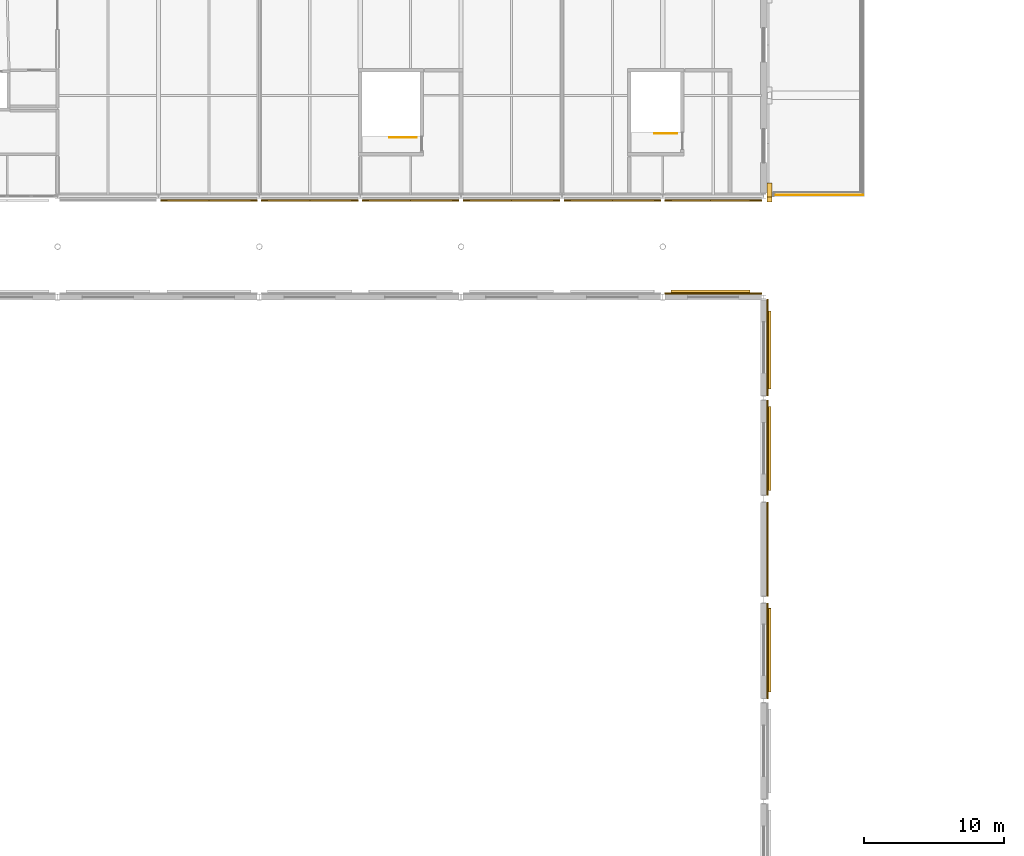
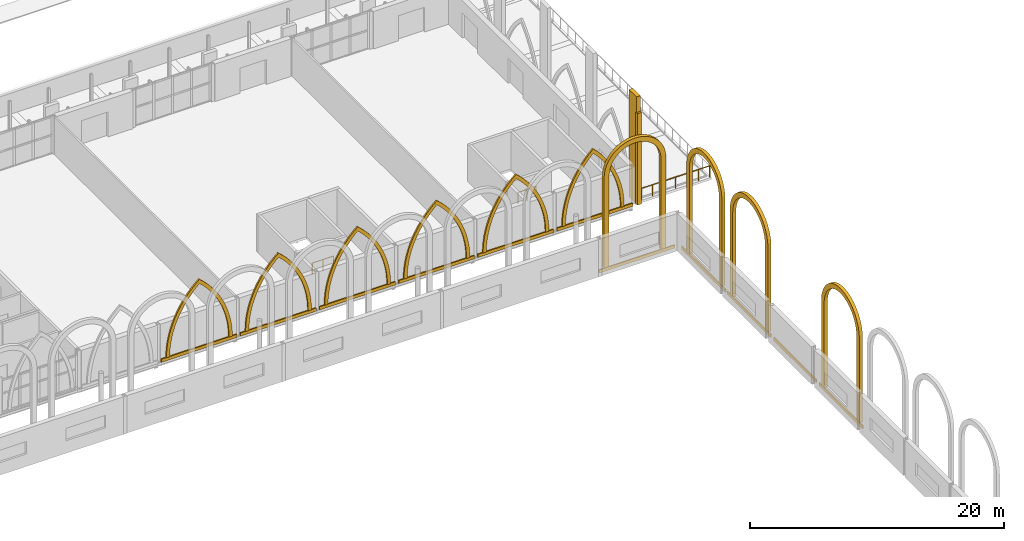
# One storey, part 129 of 143: 23 coverings, 3 railings.
"""IFC4 building model written with IfcOpenShell, lengths in metres."""

from ifc_helpers import new_model, si_unit, direction, frame, origin, origin_2d, place, context, subcontext, project, spatial, polyline, rectangle, circle, outline, extrude, material, layer, layer_set, type_object, element, save


model = new_model("IFC4")

# Units and contexts
model_context = context("Model", 3, precision=1e-05, world=origin(), true_north=direction((0.0, 1.0)))
body_context = subcontext(model_context, "Body", "Model", "MODEL_VIEW")
ifc_project = project(units=[si_unit("LENGTHUNIT", "METRE"), si_unit("AREAUNIT", "SQUARE_METRE"), si_unit("VOLUMEUNIT", "CUBIC_METRE"), si_unit("PLANEANGLEUNIT", "RADIAN"), si_unit("MASSUNIT", "GRAM", prefix="KILO")], contexts=[model_context])

# Site, building, storey
site_placement = place(None, origin())
site = spatial("IfcSite", under=ifc_project, at=site_placement, CompositionType="ELEMENT")
building_placement = place(site_placement, origin())
building = spatial("IfcBuilding", under=site, at=building_placement, Name="Kupolbacken Congress Centre", CompositionType="ELEMENT")
storey_placement = place(building_placement, frame((0.0, 0.0, 7.199951171875)))
storey = spatial("IfcBuildingStorey", under=building, at=storey_placement, Name="L02", CompositionType="ELEMENT", Elevation=7.199951171875)

# Coverings
ifc_material_1 = material(Name="Limestone cladding", Category="masonry")
ifc_layer_1 = layer(ifc_material_1, 0.1201171875)
ifc_layer_set_1 = layer_set([ifc_layer_1], Name="Limestone cladding")
covering_type_1 = type_object("IfcCoveringType", Name="CV1 limestone cladding band 120", PredefinedType="CLADDING", material=ifc_layer_set_1)
for number, where, z_axis, x_axis, name in (
    (1, (162.0, 122.10009765625, 0.0), (0.0, 0.0, 1.0), (1.0, 0.0, 0.0), "E/B/S/L02/213/band"),
    (2, (169.199951171875, 122.10009765625, 0.0), (0.0, 0.0, 1.0), (1.0, 0.0, 0.0), "E/B/S/L02/214/band"),
    (3, (176.39990234375, 122.10009765625, 0.0), (0.0, 0.0, 1.0), (1.0, 0.0, 0.0), "E/B/S/L02/215/band"),
    (4, (183.60009765625, 122.10009765625, 0.0), (0.0, 0.0, 1.0), (1.0, 0.0, 0.0), "E/B/S/L02/216/band"),
    (5, (190.800048828125, 122.10009765625, 0.0), (0.0, 0.0, 1.0), (1.0, 0.0, 0.0), "E/B/S/L02/217/band"),
    (6, (198.0, 122.10009765625, 0.0), (0.0, 0.0, 1.0), (1.0, 0.0, 0.0), "E/B/S/L02/218/band"),
):
    element("IfcCovering", number, at=place(storey_placement, frame(where, z_axis=z_axis, x_axis=x_axis)), inside=storey, type_object=covering_type_1, Name=name, PredefinedType="CLADDING", context=body_context, shape_type="SweptSolid", body=[
        extrude(rectangle(XDim=6.89990234375, YDim=0.1201171875, at=origin_2d()), origin(), (0.0, 0.0, 1.0), 0.300048828125),
    ])
ifc_material_2 = material(Name="Brick cladding", Category="masonry")
ifc_layer_2 = layer(ifc_material_2, 0.10791015625)
ifc_layer_set_2 = layer_set([ifc_layer_2], Name="Brick cladding")
covering_type_2 = type_object("IfcCoveringType", Name="CV2 brick cladding band 108", PredefinedType="CLADDING", material=ifc_layer_set_2)
covering_1_placement = place(storey_placement, frame((201.864013671875, 89.949951171875, 0.0), z_axis=(0.0, 0.0, 1.0), x_axis=(0.0, 1.0, 0.0)))
element("IfcCovering", 7, at=covering_1_placement, inside=storey, type_object=covering_type_2, Name="E/H/E/L02/252/band", PredefinedType="CLADDING", context=body_context, shape_type="SweptSolid", body=[
    extrude(rectangle(XDim=6.81005859375, YDim=0.10791015625, at=origin_2d()), origin(), (0.0, 0.0, 1.0), 0.300048828125),
])
covering_2_placement = place(storey_placement, frame((201.864013671875, 97.199951171875, 0.0), z_axis=(0.0, 0.0, 1.0), x_axis=(0.0, 1.0, 0.0)))
element("IfcCovering", 8, at=covering_2_placement, inside=storey, type_object=covering_type_2, Name="E/H/E/L02/253/band", PredefinedType="CLADDING", context=body_context, shape_type="SweptSolid", body=[
    extrude(rectangle(XDim=6.7099609375, YDim=0.10791015625, at=origin_2d()), origin(), (0.0, 0.0, 1.0), 0.300048828125),
])
covering_3_placement = place(storey_placement, frame((201.864013671875, 104.449951171875, 0.0), z_axis=(0.0, 0.0, 1.0), x_axis=(0.0, 1.0, 0.0)))
element("IfcCovering", 9, at=covering_3_placement, inside=storey, type_object=covering_type_2, Name="E/H/E/L02/254/band", PredefinedType="CLADDING", context=body_context, shape_type="SweptSolid", body=[
    extrude(rectangle(XDim=6.81005859375, YDim=0.10791015625, at=origin_2d()), origin(), (0.0, 0.0, 1.0), 0.300048828125),
])
covering_4_placement = place(storey_placement, frame((201.864013671875, 111.60009765625, 0.0), z_axis=(0.0, 0.0, 1.0), x_axis=(0.0, 1.0, 0.0)))
element("IfcCovering", 10, at=covering_4_placement, inside=storey, type_object=covering_type_2, Name="E/H/E/L02/255/band", PredefinedType="CLADDING", context=body_context, shape_type="SweptSolid", body=[
    extrude(rectangle(XDim=6.909912109375, YDim=0.10791015625, at=origin_2d()), origin(), (0.0, 0.0, 1.0), 0.300048828125),
])
covering_5_placement = place(storey_placement, frame((198.0, 115.464111328125, 0.0), z_axis=(0.0, 0.0, 1.0), x_axis=(-1.0, 0.0, 0.0)))
element("IfcCovering", 11, at=covering_5_placement, inside=storey, type_object=covering_type_2, Name="E/H/N/L02/256/band", PredefinedType="CLADDING", context=body_context, shape_type="SweptSolid", body=[
    extrude(rectangle(XDim=6.89990234375, YDim=0.10791015625, at=origin_2d()), origin(), (0.0, 0.0, 1.0), 0.300048828125),
])
ifc_material_3 = material(Name="Limestone cladding", Category="masonry")
ifc_layer_3 = layer(ifc_material_3, 0.35009765625)
ifc_layer_set_3 = layer_set([ifc_layer_3], Name="Limestone cladding")
covering_type_3 = type_object("IfcCoveringType", Name="CV3 limestone pilaster strip 350", PredefinedType="CLADDING", material=ifc_layer_set_3)
covering_6_placement = place(storey_placement, frame((202.014892578125, 122.760009765625, 0.0), z_axis=(0.0, 0.0, 1.0), x_axis=(0.0, 1.0, 0.0)))
element("IfcCovering", 12, at=covering_6_placement, inside=storey, type_object=covering_type_3, Name="F/B/E/pil/00/0", PredefinedType="CLADDING", context=body_context, shape_type="SweptSolid", body=[
    extrude(rectangle(XDim=1.199951171875, YDim=0.35009765625, at=origin_2d()), origin(), (0.0, 0.0, 1.0), 10.300048828125),
])
covering_7_placement = place(storey_placement, frame((202.014892578125, 122.159912109375, 0.0), z_axis=(0.0, 0.0, 1.0), x_axis=(1.0, 0.0, 0.0)))
element("IfcCovering", 13, at=covering_7_placement, inside=storey, type_object=covering_type_3, Name="F/B/corner/S/0", PredefinedType="CLADDING", context=body_context, shape_type="SweptSolid", body=[
    extrude(rectangle(XDim=0.35009765625, YDim=0.35009765625, at=origin_2d()), origin(), (0.0, 0.0, 1.0), 8.800048828125),
])
ifc_material_4 = material(Name="Limestone cladding", Category="masonry")
ifc_layer_4 = layer(ifc_material_4, 0.14990234375)
ifc_layer_set_4 = layer_set([ifc_layer_4], Name="Limestone cladding")
covering_type_4 = type_object("IfcCoveringType", Name="CV4 limestone blind arch frame 150", PredefinedType="CLADDING", material=ifc_layer_set_4)
covering_8_placement = place(storey_placement, frame((159.0, 122.159912109375, 0.300048828125), z_axis=(0.0, -1.0, 0.0), x_axis=(1.0, 0.0, 0.0)))
element("IfcCovering", 14, at=covering_8_placement, inside=storey, type_object=covering_type_4, Name="F/B/S/arch/03/7.5", PredefinedType="CLADDING", context=body_context, shape_type="SweptSolid", body=[
    extrude(outline(polyline([(0.0, 0.0), (0.016357421875, 0.52734375), (0.065185546875, 1.052490234375), (0.146240234375, 1.573974609375), (0.259521484375, 2.089111328125), (0.404296875, 2.596435546875), (0.580078125, 3.093994140625), (0.7861328125, 3.57958984375), (1.02197265625, 4.051513671875), (1.286376953125, 4.5078125), (1.57861328125, 4.947265625), (1.897216796875, 5.36767578125), (2.2412109375, 5.767578125), (2.609375, 6.1455078125), (3.0, 6.5), (3.390625, 6.1455078125), (3.7587890625, 5.767578125), (4.102783203125, 5.36767578125), (4.42138671875, 4.947265625), (4.713623046875, 4.5078125), (4.97802734375, 4.051513671875), (5.2138671875, 3.57958984375), (5.419921875, 3.093994140625), (5.595703125, 2.596435546875), (5.740478515625, 2.089111328125), (5.853759765625, 1.573974609375), (5.934814453125, 1.052490234375), (5.983642578125, 0.52734375), (6.0, 0.0), (5.699951171875, 0.0), (5.685302734375, 0.490234375), (5.6416015625, 0.97900390625), (5.56884765625, 1.464111328125), (5.467529296875, 1.94384765625), (5.337646484375, 2.4169921875), (5.179931640625, 2.88134765625), (4.994873046875, 3.335693359375), (4.782958984375, 3.778076171875), (4.54541015625, 4.20703125), (4.282470703125, 4.621337890625), (3.99560546875, 5.01904296875), (3.685302734375, 5.39892578125), (3.35302734375, 5.760009765625), (3.0, 6.100341796875), (2.64697265625, 5.760009765625), (2.314697265625, 5.39892578125), (2.00439453125, 5.01904296875), (1.717529296875, 4.621337890625), (1.45458984375, 4.20703125), (1.217041015625, 3.778076171875), (1.005126953125, 3.335693359375), (0.820068359375, 2.88134765625), (0.662353515625, 2.4169921875), (0.532470703125, 1.94384765625), (0.43115234375, 1.464111328125), (0.3583984375, 0.97900390625), (0.314697265625, 0.490234375), (0.300048828125, 0.0), (0.0, 0.0)])), origin(), (0.0, 0.0, 1.0), 0.14990234375),
])
covering_9_placement = place(storey_placement, frame((166.199951171875, 122.159912109375, 0.300048828125), z_axis=(0.0, -1.0, 0.0), x_axis=(1.0, 0.0, 0.0)))
element("IfcCovering", 15, at=covering_9_placement, inside=storey, type_object=covering_type_4, Name="F/B/S/arch/04/7.5", PredefinedType="CLADDING", context=body_context, shape_type="SweptSolid", body=[
    extrude(outline(polyline([(0.0, 0.0), (0.016357421875, 0.52734375), (0.065185546875, 1.052490234375), (0.146240234375, 1.573974609375), (0.259521484375, 2.089111328125), (0.404296875, 2.596435546875), (0.580078125, 3.093994140625), (0.7861328125, 3.57958984375), (1.02197265625, 4.051513671875), (1.286376953125, 4.5078125), (1.57861328125, 4.947265625), (1.897216796875, 5.36767578125), (2.2412109375, 5.767578125), (2.609375, 6.1455078125), (3.0, 6.5), (3.390625, 6.1455078125), (3.7587890625, 5.767578125), (4.102783203125, 5.36767578125), (4.42138671875, 4.947265625), (4.713623046875, 4.5078125), (4.97802734375, 4.051513671875), (5.2138671875, 3.57958984375), (5.419921875, 3.093994140625), (5.595703125, 2.596435546875), (5.740478515625, 2.089111328125), (5.853759765625, 1.573974609375), (5.934814453125, 1.052490234375), (5.983642578125, 0.52734375), (6.0, 0.0), (5.699951171875, 0.0), (5.685302734375, 0.490234375), (5.6416015625, 0.97900390625), (5.56884765625, 1.464111328125), (5.467529296875, 1.94384765625), (5.337646484375, 2.4169921875), (5.179931640625, 2.88134765625), (4.994873046875, 3.335693359375), (4.782958984375, 3.778076171875), (4.54541015625, 4.20703125), (4.282470703125, 4.621337890625), (3.99560546875, 5.01904296875), (3.685302734375, 5.39892578125), (3.35302734375, 5.760009765625), (3.0, 6.100341796875), (2.64697265625, 5.760009765625), (2.314697265625, 5.39892578125), (2.00439453125, 5.01904296875), (1.717529296875, 4.621337890625), (1.45458984375, 4.20703125), (1.217041015625, 3.778076171875), (1.005126953125, 3.335693359375), (0.820068359375, 2.88134765625), (0.662353515625, 2.4169921875), (0.532470703125, 1.94384765625), (0.43115234375, 1.464111328125), (0.3583984375, 0.97900390625), (0.314697265625, 0.490234375), (0.300048828125, 0.0), (0.0, 0.0)])), origin(), (0.0, 0.0, 1.0), 0.14990234375),
])
covering_10_placement = place(storey_placement, frame((173.39990234375, 122.159912109375, 0.300048828125), z_axis=(0.0, -1.0, 0.0), x_axis=(1.0, 0.0, 0.0)))
element("IfcCovering", 16, at=covering_10_placement, inside=storey, type_object=covering_type_4, Name="F/B/S/arch/05/7.5", PredefinedType="CLADDING", context=body_context, shape_type="SweptSolid", body=[
    extrude(outline(polyline([(0.0, 0.0), (0.016357421875, 0.52734375), (0.065185546875, 1.052490234375), (0.146240234375, 1.573974609375), (0.259521484375, 2.089111328125), (0.404296875, 2.596435546875), (0.580078125, 3.093994140625), (0.7861328125, 3.57958984375), (1.02197265625, 4.051513671875), (1.286376953125, 4.5078125), (1.57861328125, 4.947265625), (1.897216796875, 5.36767578125), (2.2412109375, 5.767578125), (2.609375, 6.1455078125), (3.0, 6.5), (3.390625, 6.1455078125), (3.7587890625, 5.767578125), (4.102783203125, 5.36767578125), (4.42138671875, 4.947265625), (4.713623046875, 4.5078125), (4.97802734375, 4.051513671875), (5.2138671875, 3.57958984375), (5.419921875, 3.093994140625), (5.595703125, 2.596435546875), (5.740478515625, 2.089111328125), (5.853759765625, 1.573974609375), (5.934814453125, 1.052490234375), (5.983642578125, 0.52734375), (6.0, 0.0), (5.699951171875, 0.0), (5.685302734375, 0.490234375), (5.6416015625, 0.97900390625), (5.56884765625, 1.464111328125), (5.467529296875, 1.94384765625), (5.337646484375, 2.4169921875), (5.179931640625, 2.88134765625), (4.994873046875, 3.335693359375), (4.782958984375, 3.778076171875), (4.54541015625, 4.20703125), (4.282470703125, 4.621337890625), (3.99560546875, 5.01904296875), (3.685302734375, 5.39892578125), (3.35302734375, 5.760009765625), (3.0, 6.100341796875), (2.64697265625, 5.760009765625), (2.314697265625, 5.39892578125), (2.00439453125, 5.01904296875), (1.717529296875, 4.621337890625), (1.45458984375, 4.20703125), (1.217041015625, 3.778076171875), (1.005126953125, 3.335693359375), (0.820068359375, 2.88134765625), (0.662353515625, 2.4169921875), (0.532470703125, 1.94384765625), (0.43115234375, 1.464111328125), (0.3583984375, 0.97900390625), (0.314697265625, 0.490234375), (0.300048828125, 0.0), (0.0, 0.0)])), origin(), (0.0, 0.0, 1.0), 0.14990234375),
])
covering_11_placement = place(storey_placement, frame((180.60009765625, 122.159912109375, 0.300048828125), z_axis=(0.0, -1.0, 0.0), x_axis=(1.0, 0.0, 0.0)))
element("IfcCovering", 17, at=covering_11_placement, inside=storey, type_object=covering_type_4, Name="F/B/S/arch/06/7.5", PredefinedType="CLADDING", context=body_context, shape_type="SweptSolid", body=[
    extrude(outline(polyline([(0.0, 0.0), (0.016357421875, 0.52734375), (0.065185546875, 1.052490234375), (0.146240234375, 1.573974609375), (0.259521484375, 2.089111328125), (0.404296875, 2.596435546875), (0.580078125, 3.093994140625), (0.7861328125, 3.57958984375), (1.02197265625, 4.051513671875), (1.286376953125, 4.5078125), (1.57861328125, 4.947265625), (1.897216796875, 5.36767578125), (2.2412109375, 5.767578125), (2.609375, 6.1455078125), (3.0, 6.5), (3.390625, 6.1455078125), (3.7587890625, 5.767578125), (4.102783203125, 5.36767578125), (4.42138671875, 4.947265625), (4.713623046875, 4.5078125), (4.97802734375, 4.051513671875), (5.2138671875, 3.57958984375), (5.419921875, 3.093994140625), (5.595703125, 2.596435546875), (5.740478515625, 2.089111328125), (5.853759765625, 1.573974609375), (5.934814453125, 1.052490234375), (5.983642578125, 0.52734375), (6.0, 0.0), (5.699951171875, 0.0), (5.685302734375, 0.490234375), (5.6416015625, 0.97900390625), (5.56884765625, 1.464111328125), (5.467529296875, 1.94384765625), (5.337646484375, 2.4169921875), (5.179931640625, 2.88134765625), (4.994873046875, 3.335693359375), (4.782958984375, 3.778076171875), (4.54541015625, 4.20703125), (4.282470703125, 4.621337890625), (3.99560546875, 5.01904296875), (3.685302734375, 5.39892578125), (3.35302734375, 5.760009765625), (3.0, 6.100341796875), (2.64697265625, 5.760009765625), (2.314697265625, 5.39892578125), (2.00439453125, 5.01904296875), (1.717529296875, 4.621337890625), (1.45458984375, 4.20703125), (1.217041015625, 3.778076171875), (1.005126953125, 3.335693359375), (0.820068359375, 2.88134765625), (0.662353515625, 2.4169921875), (0.532470703125, 1.94384765625), (0.43115234375, 1.464111328125), (0.3583984375, 0.97900390625), (0.314697265625, 0.490234375), (0.300048828125, 0.0), (0.0, 0.0)])), origin(), (0.0, 0.0, 1.0), 0.14990234375),
])
covering_12_placement = place(storey_placement, frame((187.800048828125, 122.159912109375, 0.300048828125), z_axis=(0.0, -1.0, 0.0), x_axis=(1.0, 0.0, 0.0)))
element("IfcCovering", 18, at=covering_12_placement, inside=storey, type_object=covering_type_4, Name="F/B/S/arch/07/7.5", PredefinedType="CLADDING", context=body_context, shape_type="SweptSolid", body=[
    extrude(outline(polyline([(0.0, 0.0), (0.016357421875, 0.52734375), (0.065185546875, 1.052490234375), (0.146240234375, 1.573974609375), (0.259521484375, 2.089111328125), (0.404296875, 2.596435546875), (0.580078125, 3.093994140625), (0.7861328125, 3.57958984375), (1.02197265625, 4.051513671875), (1.286376953125, 4.5078125), (1.57861328125, 4.947265625), (1.897216796875, 5.36767578125), (2.2412109375, 5.767578125), (2.609375, 6.1455078125), (3.0, 6.5), (3.390625, 6.1455078125), (3.7587890625, 5.767578125), (4.102783203125, 5.36767578125), (4.42138671875, 4.947265625), (4.713623046875, 4.5078125), (4.97802734375, 4.051513671875), (5.2138671875, 3.57958984375), (5.419921875, 3.093994140625), (5.595703125, 2.596435546875), (5.740478515625, 2.089111328125), (5.853759765625, 1.573974609375), (5.934814453125, 1.052490234375), (5.983642578125, 0.52734375), (6.0, 0.0), (5.699951171875, 0.0), (5.685302734375, 0.490234375), (5.6416015625, 0.97900390625), (5.56884765625, 1.464111328125), (5.467529296875, 1.94384765625), (5.337646484375, 2.4169921875), (5.179931640625, 2.88134765625), (4.994873046875, 3.335693359375), (4.782958984375, 3.778076171875), (4.54541015625, 4.20703125), (4.282470703125, 4.621337890625), (3.99560546875, 5.01904296875), (3.685302734375, 5.39892578125), (3.35302734375, 5.760009765625), (3.0, 6.100341796875), (2.64697265625, 5.760009765625), (2.314697265625, 5.39892578125), (2.00439453125, 5.01904296875), (1.717529296875, 4.621337890625), (1.45458984375, 4.20703125), (1.217041015625, 3.778076171875), (1.005126953125, 3.335693359375), (0.820068359375, 2.88134765625), (0.662353515625, 2.4169921875), (0.532470703125, 1.94384765625), (0.43115234375, 1.464111328125), (0.3583984375, 0.97900390625), (0.314697265625, 0.490234375), (0.300048828125, 0.0), (0.0, 0.0)])), origin(), (0.0, 0.0, 1.0), 0.14990234375),
])
covering_13_placement = place(storey_placement, frame((195.0, 122.159912109375, 0.300048828125), z_axis=(0.0, -1.0, 0.0), x_axis=(1.0, 0.0, 0.0)))
element("IfcCovering", 19, at=covering_13_placement, inside=storey, type_object=covering_type_4, Name="F/B/S/arch/08/7.5", PredefinedType="CLADDING", context=body_context, shape_type="SweptSolid", body=[
    extrude(outline(polyline([(0.0, 0.0), (0.01513671875, 0.520263671875), (0.060791015625, 1.038818359375), (0.13671875, 1.553466796875), (0.242431640625, 2.06298828125), (0.377685546875, 2.565673828125), (0.542236328125, 3.059326171875), (0.7353515625, 3.542724609375), (0.956298828125, 4.013916015625), (1.20458984375, 4.47119140625), (1.47900390625, 4.91357421875), (1.77880859375, 5.3388671875), (2.10302734375, 5.74609375), (2.450439453125, 6.133544921875), (2.820068359375, 6.5), (3.189453125, 6.133544921875), (3.536865234375, 5.74609375), (3.861083984375, 5.3388671875), (4.160888671875, 4.91357421875), (4.435546875, 4.47119140625), (4.68359375, 4.013916015625), (4.904541015625, 3.542724609375), (5.09765625, 3.059326171875), (5.26220703125, 2.565673828125), (5.397705078125, 2.06298828125), (5.50341796875, 1.553466796875), (5.5791015625, 1.038818359375), (5.624755859375, 0.520263671875), (5.639892578125, 0.0), (5.340087890625, 0.0), (5.326416015625, 0.482421875), (5.285888671875, 0.963134765625), (5.218505859375, 1.44091796875), (5.124267578125, 1.914306640625), (5.003662109375, 2.381591796875), (4.857177734375, 2.84130859375), (4.68505859375, 3.2919921875), (4.48779296875, 3.732421875), (4.266357421875, 4.1611328125), (4.021240234375, 4.576904296875), (3.753173828125, 4.977783203125), (3.462890625, 5.363525390625), (3.151611328125, 5.732177734375), (2.820068359375, 6.082763671875), (2.488525390625, 5.732177734375), (2.177001953125, 5.363525390625), (1.886962890625, 4.977783203125), (1.618896484375, 4.576904296875), (1.37353515625, 4.1611328125), (1.152099609375, 3.732421875), (0.954833984375, 3.2919921875), (0.78271484375, 2.84130859375), (0.63623046875, 2.381591796875), (0.515625, 1.914306640625), (0.421630859375, 1.44091796875), (0.35400390625, 0.963134765625), (0.3134765625, 0.482421875), (0.300048828125, 0.0), (0.0, 0.0)])), origin(), (0.0, 0.0, 1.0), 0.14990234375),
])
ifc_material_5 = material(Name="Limestone cladding", Category="masonry")
ifc_layer_5 = layer(ifc_material_5, 0.300048828125)
ifc_layer_set_5 = layer_set([ifc_layer_5], Name="Limestone cladding")
covering_type_5 = type_object("IfcCoveringType", Name="CV6 limestone arcade arch frame 300", PredefinedType="CLADDING", material=ifc_layer_set_5)
covering_14_placement = place(storey_placement, frame((195.0, 115.409912109375, 0.300048828125), z_axis=(0.0, 1.0, 0.0), x_axis=(-1.0, 0.0, 0.0)))
element("IfcCovering", 20, at=covering_14_placement, inside=storey, type_object=covering_type_5, Name="F/HR/H/N/frame/15", PredefinedType="CLADDING", context=body_context, shape_type="SweptSolid", body=[
    extrude(outline(polyline([(0.0, 0.0), (0.0, 8.739990234375), (-0.017578125, 9.0546875), (-0.070556640625, 9.365234375), (-0.15771484375, 9.668212890625), (-0.2783203125, 9.959228515625), (-0.4306640625, 10.235107421875), (-0.613037109375, 10.491943359375), (-0.822998046875, 10.72705078125), (-1.05810546875, 10.93701171875), (-1.31494140625, 11.119384765625), (-1.5908203125, 11.271728515625), (-1.8818359375, 11.392333984375), (-2.184814453125, 11.4794921875), (-2.495361328125, 11.5322265625), (-2.81005859375, 11.550048828125), (-3.12451171875, 11.5322265625), (-3.435302734375, 11.4794921875), (-3.738037109375, 11.392333984375), (-4.029296875, 11.271728515625), (-4.304931640625, 11.119384765625), (-4.56201171875, 10.93701171875), (-4.797119140625, 10.72705078125), (-5.0068359375, 10.491943359375), (-5.189208984375, 10.235107421875), (-5.341796875, 9.959228515625), (-5.46240234375, 9.668212890625), (-5.549560546875, 9.365234375), (-5.602294921875, 9.0546875), (-5.6201171875, 8.739990234375), (-5.6201171875, 0.0), (-5.169921875, 0.0), (-5.169921875, 8.739990234375), (-5.1552734375, 9.004150390625), (-5.11083984375, 9.26513671875), (-5.03759765625, 9.51953125), (-4.936279296875, 9.763916015625), (-4.808349609375, 9.99560546875), (-4.655029296875, 10.21142578125), (-4.478759765625, 10.40869140625), (-4.281494140625, 10.585205078125), (-4.065673828125, 10.73828125), (-3.833984375, 10.8662109375), (-3.589599609375, 10.967529296875), (-3.335205078125, 11.040771484375), (-3.07421875, 11.085205078125), (-2.81005859375, 11.10009765625), (-2.5458984375, 11.085205078125), (-2.284912109375, 11.040771484375), (-2.030517578125, 10.967529296875), (-1.785888671875, 10.8662109375), (-1.554443359375, 10.73828125), (-1.338623046875, 10.585205078125), (-1.14111328125, 10.40869140625), (-0.96484375, 10.21142578125), (-0.811767578125, 9.99560546875), (-0.68359375, 9.763916015625), (-0.58251953125, 9.51953125), (-0.50927734375, 9.26513671875), (-0.46484375, 9.004150390625), (-0.449951171875, 8.739990234375), (-0.449951171875, 0.0), (0.0, 0.0)])), origin(), (0.0, 0.0, 1.0), 0.300048828125),
])
covering_15_placement = place(storey_placement, frame((201.81005859375, 87.0, 0.300048828125), z_axis=(1.0, 0.0, 0.0), x_axis=(0.0, 1.0, 0.0)))
element("IfcCovering", 21, at=covering_15_placement, inside=storey, type_object=covering_type_5, Name="F/HR/H/E/frame/06", PredefinedType="CLADDING", context=body_context, shape_type="SweptSolid", body=[
    extrude(outline(polyline([(0.0, 0.0), (0.0, 8.10009765625), (0.018798828125, 8.435791015625), (0.0751953125, 8.767578125), (0.16845703125, 9.0908203125), (0.297119140625, 9.401611328125), (0.459716796875, 9.696044921875), (0.654541015625, 9.970458984375), (0.878662109375, 10.22119140625), (1.12939453125, 10.445556640625), (1.40380859375, 10.64013671875), (1.6982421875, 10.802978515625), (2.00927734375, 10.931640625), (2.33251953125, 11.02490234375), (2.6640625, 11.0810546875), (3.0, 11.10009765625), (3.3359375, 11.0810546875), (3.66748046875, 11.02490234375), (3.99072265625, 10.931640625), (4.3017578125, 10.802978515625), (4.59619140625, 10.64013671875), (4.87060546875, 10.445556640625), (5.121337890625, 10.22119140625), (5.345458984375, 9.970458984375), (5.540283203125, 9.696044921875), (5.702880859375, 9.401611328125), (5.83154296875, 9.0908203125), (5.9248046875, 8.767578125), (5.981201171875, 8.435791015625), (6.0, 8.10009765625), (6.0, 0.0), (5.550048828125, 0.0), (5.550048828125, 8.10009765625), (5.533935546875, 8.385498046875), (5.486083984375, 8.66748046875), (5.406982421875, 8.942138671875), (5.297607421875, 9.206298828125), (5.1591796875, 9.456787109375), (4.99365234375, 9.68994140625), (4.802978515625, 9.903076171875), (4.58984375, 10.09375), (4.356689453125, 10.259033203125), (4.1064453125, 10.3974609375), (3.84228515625, 10.5068359375), (3.5673828125, 10.586181640625), (3.285400390625, 10.634033203125), (3.0, 10.64990234375), (2.714599609375, 10.634033203125), (2.4326171875, 10.586181640625), (2.15771484375, 10.5068359375), (1.8935546875, 10.3974609375), (1.643310546875, 10.259033203125), (1.41015625, 10.09375), (1.197021484375, 9.903076171875), (1.00634765625, 9.68994140625), (0.8408203125, 9.456787109375), (0.702392578125, 9.206298828125), (0.593017578125, 8.942138671875), (0.513916015625, 8.66748046875), (0.466064453125, 8.385498046875), (0.449951171875, 8.10009765625), (0.449951171875, 0.0), (0.0, 0.0)])), origin(), (0.0, 0.0, 1.0), 0.300048828125),
])
covering_16_placement = place(storey_placement, frame((201.81005859375, 101.39990234375, 0.300048828125), z_axis=(1.0, 0.0, 0.0), x_axis=(0.0, 1.0, 0.0)))
element("IfcCovering", 22, at=covering_16_placement, inside=storey, type_object=covering_type_5, Name="F/HR/H/E/frame/08", PredefinedType="CLADDING", context=body_context, shape_type="SweptSolid", body=[
    extrude(outline(polyline([(0.0, 0.0), (0.0, 8.10009765625), (0.018798828125, 8.435791015625), (0.0751953125, 8.767578125), (0.16845703125, 9.0908203125), (0.297119140625, 9.401611328125), (0.459716796875, 9.696044921875), (0.654541015625, 9.970458984375), (0.878662109375, 10.22119140625), (1.12939453125, 10.445556640625), (1.40380859375, 10.64013671875), (1.6982421875, 10.802978515625), (2.00927734375, 10.931640625), (2.33251953125, 11.02490234375), (2.6640625, 11.0810546875), (3.0, 11.10009765625), (3.3359375, 11.0810546875), (3.66748046875, 11.02490234375), (3.99072265625, 10.931640625), (4.3017578125, 10.802978515625), (4.59619140625, 10.64013671875), (4.87060546875, 10.445556640625), (5.121337890625, 10.22119140625), (5.345458984375, 9.970458984375), (5.540283203125, 9.696044921875), (5.702880859375, 9.401611328125), (5.83154296875, 9.0908203125), (5.9248046875, 8.767578125), (5.981201171875, 8.435791015625), (6.0, 8.10009765625), (6.0, 0.0), (5.550048828125, 0.0), (5.550048828125, 8.10009765625), (5.533935546875, 8.385498046875), (5.486083984375, 8.66748046875), (5.406982421875, 8.942138671875), (5.297607421875, 9.206298828125), (5.1591796875, 9.456787109375), (4.99365234375, 9.68994140625), (4.802978515625, 9.903076171875), (4.58984375, 10.09375), (4.356689453125, 10.259033203125), (4.1064453125, 10.3974609375), (3.84228515625, 10.5068359375), (3.5673828125, 10.586181640625), (3.285400390625, 10.634033203125), (3.0, 10.64990234375), (2.714599609375, 10.634033203125), (2.4326171875, 10.586181640625), (2.15771484375, 10.5068359375), (1.8935546875, 10.3974609375), (1.643310546875, 10.259033203125), (1.41015625, 10.09375), (1.197021484375, 9.903076171875), (1.00634765625, 9.68994140625), (0.8408203125, 9.456787109375), (0.702392578125, 9.206298828125), (0.593017578125, 8.942138671875), (0.513916015625, 8.66748046875), (0.466064453125, 8.385498046875), (0.449951171875, 8.10009765625), (0.449951171875, 0.0), (0.0, 0.0)])), origin(), (0.0, 0.0, 1.0), 0.300048828125),
])
covering_17_placement = place(storey_placement, frame((201.81005859375, 108.659912109375, 0.300048828125), z_axis=(1.0, 0.0, 0.0), x_axis=(0.0, 1.0, 0.0)))
element("IfcCovering", 23, at=covering_17_placement, inside=storey, type_object=covering_type_5, Name="F/HR/H/E/frame/09", PredefinedType="CLADDING", context=body_context, shape_type="SweptSolid", body=[
    extrude(outline(polyline([(0.0, 0.0), (0.0, 8.320068359375), (0.017578125, 8.63134765625), (0.069580078125, 8.938720703125), (0.156005859375, 9.23828125), (0.275390625, 9.526123046875), (0.426025390625, 9.799072265625), (0.6064453125, 10.05322265625), (0.814208984375, 10.285888671875), (1.046630859375, 10.493408203125), (1.301025390625, 10.673828125), (1.57373046875, 10.82470703125), (1.86181640625, 10.944091796875), (2.161376953125, 11.0302734375), (2.46875, 11.08251953125), (2.780029296875, 11.10009765625), (3.09130859375, 11.08251953125), (3.398681640625, 11.0302734375), (3.6982421875, 10.944091796875), (3.986083984375, 10.82470703125), (4.259033203125, 10.673828125), (4.51318359375, 10.493408203125), (4.745849609375, 10.285888671875), (4.95361328125, 10.05322265625), (5.1337890625, 9.799072265625), (5.28466796875, 9.526123046875), (5.404052734375, 9.23828125), (5.490234375, 8.938720703125), (5.54248046875, 8.63134765625), (5.56005859375, 8.320068359375), (5.56005859375, 0.0), (5.110107421875, 0.0), (5.110107421875, 8.320068359375), (5.09521484375, 8.580810546875), (5.051513671875, 8.83837890625), (4.979248046875, 9.089599609375), (4.87939453125, 9.330810546875), (4.7529296875, 9.5595703125), (4.601806640625, 9.772705078125), (4.427490234375, 9.967529296875), (4.232666015625, 10.1416015625), (4.01953125, 10.29296875), (3.791015625, 10.419189453125), (3.549560546875, 10.519287109375), (3.298583984375, 10.591552734375), (3.041015625, 10.63525390625), (2.780029296875, 10.64990234375), (2.51904296875, 10.63525390625), (2.261474609375, 10.591552734375), (2.010498046875, 10.519287109375), (1.76904296875, 10.419189453125), (1.540283203125, 10.29296875), (1.327392578125, 10.1416015625), (1.13232421875, 9.967529296875), (0.958251953125, 9.772705078125), (0.80712890625, 9.5595703125), (0.6806640625, 9.330810546875), (0.580810546875, 9.089599609375), (0.50830078125, 8.83837890625), (0.464599609375, 8.580810546875), (0.449951171875, 8.320068359375), (0.449951171875, 0.0), (0.0, 0.0)])), origin(), (0.0, 0.0, 1.0), 0.300048828125),
])

# Railings
ifc_material_6 = material(Name="Steel S235", Category="steel")
railing_type = type_object("IfcRailingType", Name="RL1 guard 1100 steel balustrade", PredefinedType="GUARDRAIL", material=ifc_material_6)
railing_1_placement = place(storey_placement, frame((208.698974609375, 122.5, 0.0)))
element("IfcRailing", 24, at=railing_1_placement, inside=storey, type_object=railing_type, Name="E/deckguard/004", PredefinedType="GUARDRAIL", context=body_context, shape_type="SweptSolid", body=[
    extrude(circle(Radius=0.02392578125, at=origin_2d()), frame((0.0, 0.0, 1.076171875), z_axis=(-1.0, 0.0, 0.0), x_axis=(0.0, -1.0, 0.0)), (0.0, 0.0, 1.0), 6.225830078125),
    extrude(circle(Radius=0.02099609375, at=origin_2d()), origin(), (0.0, 0.0, 1.0), 1.052001953125),
    extrude(circle(Radius=0.02099609375, at=origin_2d()), frame((-1.03759765625, 0.0, 0.0)), (0.0, 0.0, 1.0), 1.052001953125),
    extrude(circle(Radius=0.02099609375, at=origin_2d()), frame((-2.0751953125, 0.0, 0.0)), (0.0, 0.0, 1.0), 1.052001953125),
    extrude(circle(Radius=0.02099609375, at=origin_2d()), frame((-3.11279296875, 0.0, 0.0)), (0.0, 0.0, 1.0), 1.052001953125),
    extrude(circle(Radius=0.02099609375, at=origin_2d()), frame((-4.150634765625, 0.0, 0.0)), (0.0, 0.0, 1.0), 1.052001953125),
    extrude(circle(Radius=0.02099609375, at=origin_2d()), frame((-5.188232421875, 0.0, 0.0)), (0.0, 0.0, 1.0), 1.052001953125),
    extrude(circle(Radius=0.02099609375, at=origin_2d()), frame((-6.225830078125, 0.0, 0.0)), (0.0, 0.0, 1.0), 1.052001953125),
])
railing_2_placement = place(storey_placement, frame((195.425048828125, 126.885009765625, 0.0)))
element("IfcRailing", 25, at=railing_2_placement, inside=storey, type_object=railing_type, Name="C/guard/BS3/L02", PredefinedType="GUARDRAIL", context=body_context, shape_type="SweptSolid", body=[
    extrude(circle(Radius=0.02392578125, at=origin_2d()), frame((0.0, 0.0, 1.076171875), z_axis=(-1.0, 0.0, 0.0), x_axis=(0.0, -1.0, 0.0)), (0.0, 0.0, 1.0), 1.625),
    extrude(circle(Radius=0.02099609375, at=origin_2d()), origin(), (0.0, 0.0, 1.0), 1.052001953125),
    extrude(circle(Radius=0.02099609375, at=origin_2d()), frame((-0.8125, 0.0, 0.0)), (0.0, 0.0, 1.0), 1.052001953125),
    extrude(circle(Radius=0.02099609375, at=origin_2d()), frame((-1.625, 0.0, 0.0)), (0.0, 0.0, 1.0), 1.052001953125),
])
railing_3_placement = place(storey_placement, frame((176.824951171875, 126.5849609375, 0.0)))
element("IfcRailing", 26, at=railing_3_placement, inside=storey, type_object=railing_type, Name="C/guard/BS4/L02", PredefinedType="GUARDRAIL", context=body_context, shape_type="SweptSolid", body=[
    extrude(circle(Radius=0.02392578125, at=origin_2d()), frame((0.0, 0.0, 1.076171875), z_axis=(-1.0, 0.0, 0.0), x_axis=(0.0, -1.0, 0.0)), (0.0, 0.0, 1.0), 1.925048828125),
    extrude(circle(Radius=0.02099609375, at=origin_2d()), origin(), (0.0, 0.0, 1.0), 1.052001953125),
    extrude(circle(Radius=0.02099609375, at=origin_2d()), frame((-0.96240234375, 0.0, 0.0)), (0.0, 0.0, 1.0), 1.052001953125),
    extrude(circle(Radius=0.02099609375, at=origin_2d()), frame((-1.925048828125, 0.0, 0.0)), (0.0, 0.0, 1.0), 1.052001953125),
])

save(model, "model.ifc")
